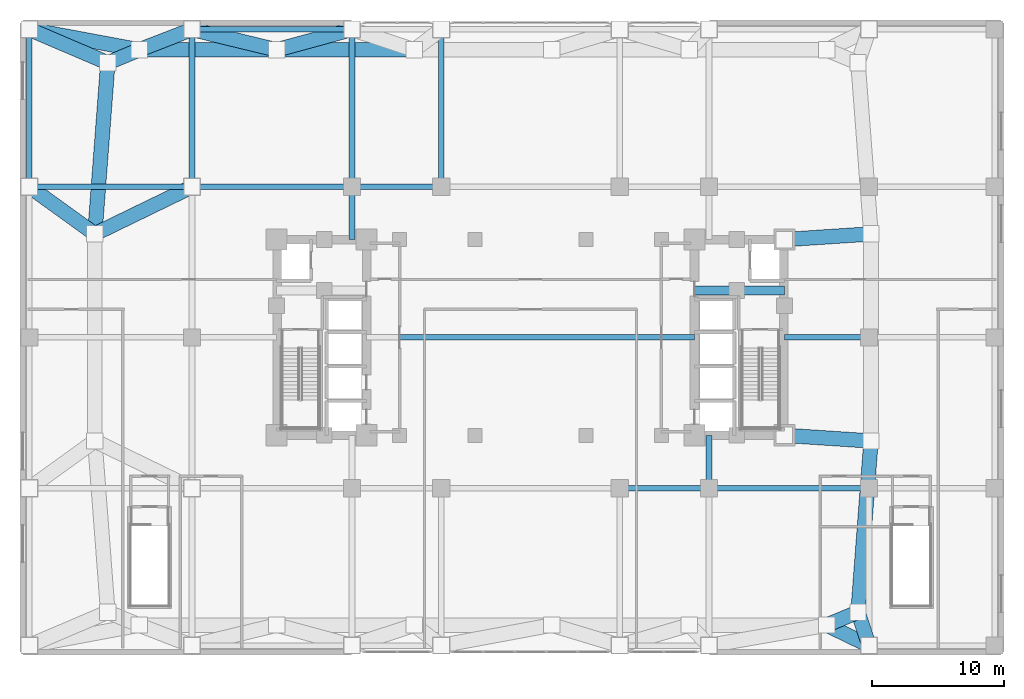
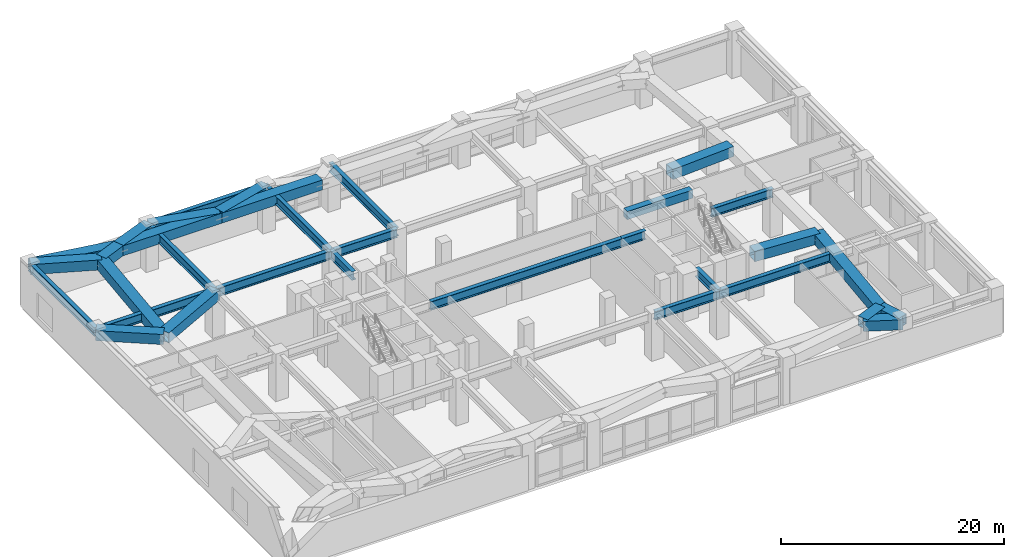
# One storey, part 7 of 20: 33 beams.
"""IFC4 building model written with IfcOpenShell, lengths in metres."""

from ifc_helpers import new_model, si_unit, direction, frame, origin, origin_2d, place, context, subcontext, project, spatial, rectangle, hollow_rectangle, i_section, extrude, material, material_profile, profile_set, type_object, element, save


model = new_model("IFC4")

# Units and contexts
model_context = context("Model", 3, precision=1e-05, world=origin(), true_north=direction((0.0, 1.0)))
body_context = subcontext(model_context, "Body", "Model", "MODEL_VIEW")
ifc_project = project(units=[si_unit("LENGTHUNIT", "METRE"), si_unit("AREAUNIT", "SQUARE_METRE"), si_unit("VOLUMEUNIT", "CUBIC_METRE"), si_unit("PLANEANGLEUNIT", "RADIAN"), si_unit("MASSUNIT", "GRAM", prefix="KILO")], contexts=[model_context])

# Site, building, storey
site_placement = place(None, origin())
site = spatial("IfcSite", under=ifc_project, at=site_placement, CompositionType="ELEMENT")
building_placement = place(site_placement, origin())
building = spatial("IfcBuilding", under=site, at=building_placement, Name="Voryun Gate Residences", CompositionType="ELEMENT")
storey_placement = place(building_placement, frame((0.0, 0.0, 20.800048828125)))
storey = spatial("IfcBuildingStorey", under=building, at=storey_placement, Name="L04", CompositionType="ELEMENT", Elevation=20.800048828125)

# Beams
ifc_material_1 = material(Name="Steel SM420", Category="steel")
ifc_material_profile_1 = material_profile(ifc_material_1, hollow_rectangle(XDim=1.10009765625, YDim=1.10009765625, WallThickness=0.035888671875, at=origin_2d()), Name="BOX-1100x1100x36")
ifc_profile_set_1 = profile_set([ifc_material_profile_1], Name="Steel SM420")
beam_type_1 = type_object("IfcBeamType", Name="BM_ARCH_RIB", PredefinedType="USERDEFINED", material=ifc_profile_set_1)
beam_1_placement = place(storey_placement, frame((22.39990234375, -21.75, 4.39990234375), z_axis=(0.923883376753, 0.382674151414, 0.0), x_axis=(-0.382674151414, 0.923883376753, 0.0)))
element("IfcBeam", 1, at=beam_1_placement, inside=storey, type_object=beam_type_1, Name="BM-L04-B1RING-06", ObjectType="GIRDER", PredefinedType="USERDEFINED", context=body_context, shape_type="SweptSolid", body=[
    extrude(hollow_rectangle(XDim=1.10009765625, YDim=1.10009765625, WallThickness=0.035888671875, at=origin_2d()), origin(), (0.0, 0.0, 1.0), 2.56396484375),
])
beam_2_placement = place(storey_placement, frame((24.768798828125, -20.768798828125, 4.39990234375), z_axis=(0.075617360159, 0.997136908776, 0.0), x_axis=(-0.997136908776, 0.075617360159, 0.0)))
element("IfcBeam", 2, at=beam_2_placement, inside=storey, type_object=beam_type_1, Name="BM-L04-B1RING-07", ObjectType="GIRDER", PredefinedType="USERDEFINED", context=body_context, shape_type="SweptSolid", body=[
    extrude(hollow_rectangle(XDim=1.10009765625, YDim=1.10009765625, WallThickness=0.035888671875, at=origin_2d()), origin(), (0.0, 0.0, 1.0), 12.975830078125),
])
beam_3_placement = place(storey_placement, frame((-8.800048828125, 21.75, 4.39990234375), z_axis=(-1.0, 0.0, 0.0), x_axis=(0.0, -1.0, 0.0)))
element("IfcBeam", 3, at=beam_3_placement, inside=storey, type_object=beam_type_1, Name="BM-L04-B1RING-14", ObjectType="GIRDER", PredefinedType="USERDEFINED", context=body_context, shape_type="SweptSolid", body=[
    extrude(hollow_rectangle(XDim=1.10009765625, YDim=1.10009765625, WallThickness=0.035888671875, at=origin_2d()), origin(), (0.0, 0.0, 1.0), 10.39990234375),
])
beam_4_placement = place(storey_placement, frame((-19.199951171875, 21.75, 4.39990234375), z_axis=(-1.0, 0.0, 0.0), x_axis=(0.0, -1.0, 0.0)))
element("IfcBeam", 4, at=beam_4_placement, inside=storey, type_object=beam_type_1, Name="BM-L04-B1RING-15", ObjectType="GIRDER", PredefinedType="USERDEFINED", context=body_context, shape_type="SweptSolid", body=[
    extrude(hollow_rectangle(XDim=1.10009765625, YDim=1.10009765625, WallThickness=0.035888671875, at=origin_2d()), origin(), (0.0, 0.0, 1.0), 10.400146484375),
])
beam_5_placement = place(storey_placement, frame((-29.60009765625, 21.75, 4.39990234375), z_axis=(-0.92386943149, -0.382707817477, 0.0), x_axis=(0.382707817477, -0.92386943149, 0.0)))
element("IfcBeam", 5, at=beam_5_placement, inside=storey, type_object=beam_type_1, Name="BM-L04-B1RING-16", ObjectType="GIRDER", PredefinedType="USERDEFINED", context=body_context, shape_type="SweptSolid", body=[
    extrude(hollow_rectangle(XDim=1.10009765625, YDim=1.10009765625, WallThickness=0.035888671875, at=origin_2d()), origin(), (0.0, 0.0, 1.0), 2.563720703125),
])
beam_6_placement = place(storey_placement, frame((-31.96875, 20.768798828125, 4.39990234375), z_axis=(-0.075617360159, -0.997136908776, 0.0), x_axis=(0.997136908776, -0.075617360159, 0.0)))
element("IfcBeam", 6, at=beam_6_placement, inside=storey, type_object=beam_type_1, Name="BM-L04-B1RING-17", ObjectType="GIRDER", PredefinedType="USERDEFINED", context=body_context, shape_type="SweptSolid", body=[
    extrude(hollow_rectangle(XDim=1.10009765625, YDim=1.10009765625, WallThickness=0.035888671875, at=origin_2d()), origin(), (0.0, 0.0, 1.0), 12.975830078125),
])
beam_7_placement = place(storey_placement, frame((25.60009765625, -23.300048828125, 4.39990234375), z_axis=(-0.899986374439, 0.435918026496, 0.0), x_axis=(-0.435918026496, -0.899986374439, 0.0)))
element("IfcBeam", 7, at=beam_7_placement, inside=storey, type_object=beam_type_1, Name="BM-L04-B1RAD1-S6", ObjectType="GIRDER", PredefinedType="USERDEFINED", context=body_context, shape_type="SweptSolid", body=[
    extrude(hollow_rectangle(XDim=1.10009765625, YDim=1.10009765625, WallThickness=0.035888671875, at=origin_2d()), origin(), (0.0, 0.0, 1.0), 3.555908203125),
])
beam_8_placement = place(storey_placement, frame((25.60009765625, -23.300048828125, 4.39990234375), z_axis=(-0.312018592405, 0.950075995904, 0.0), x_axis=(-0.950075995904, -0.312018592405, 0.0)))
element("IfcBeam", 8, at=beam_8_placement, inside=storey, type_object=beam_type_1, Name="BM-L04-B1RAD1-CSE", ObjectType="GIRDER", PredefinedType="USERDEFINED", context=body_context, shape_type="SweptSolid", body=[
    extrude(hollow_rectangle(XDim=1.10009765625, YDim=1.10009765625, WallThickness=0.035888671875, at=origin_2d()), origin(), (0.0, 0.0, 1.0), 2.664306640625),
])
for number, where, z_axis, x_axis, name in (
    (9, (19.199951171875, -7.39990234375, 4.39990234375), (0.997850335415, -0.06553402255, 0.0), (0.06553402255, 0.997850335415, 0.0), "BM-L04-B1RAD2-E1"),
    (10, (19.199951171875, 7.39990234375, 4.39990234375), (0.997850335415, 0.06553402255, 0.0), (-0.06553402255, 0.997850335415, 0.0), "BM-L04-B1RAD2-E2"),
):
    element("IfcBeam", number, at=place(storey_placement, frame(where, z_axis=z_axis, x_axis=x_axis)), inside=storey, type_object=beam_type_1, Name=name, ObjectType="GIRDER", PredefinedType="USERDEFINED", context=body_context, shape_type="SweptSolid", body=[
        extrude(hollow_rectangle(XDim=1.10009765625, YDim=1.10009765625, WallThickness=0.035888671875, at=origin_2d()), origin(), (0.0, 0.0, 1.0), 6.564208984375),
    ])
beam_9_placement = place(storey_placement, frame((-13.5, 23.300048828125, 4.39990234375), z_axis=(-0.964956228913, -0.262410892079, 0.0), x_axis=(0.262410892079, -0.964956228913, 0.0)))
element("IfcBeam", 11, at=beam_9_placement, inside=storey, type_object=beam_type_1, Name="BM-L04-B1RAD1-N5", ObjectType="GIRDER", PredefinedType="USERDEFINED", context=body_context, shape_type="SweptSolid", body=[
    extrude(hollow_rectangle(XDim=1.10009765625, YDim=1.10009765625, WallThickness=0.035888671875, at=origin_2d()), origin(), (0.0, 0.0, 1.0), 5.906982421875),
])
beam_10_placement = place(storey_placement, frame((-25.60009765625, 23.300048828125, 4.39990234375), z_axis=(0.971902300927, -0.235384616006, 0.0), x_axis=(0.235384616006, 0.971902300927, 0.0)))
element("IfcBeam", 12, at=beam_10_placement, inside=storey, type_object=beam_type_1, Name="BM-L04-B1RAD2-N5", ObjectType="GIRDER", PredefinedType="USERDEFINED", context=body_context, shape_type="SweptSolid", body=[
    extrude(hollow_rectangle(XDim=1.10009765625, YDim=1.10009765625, WallThickness=0.035888671875, at=origin_2d()), origin(), (0.0, 0.0, 1.0), 6.585205078125),
])
beam_11_placement = place(storey_placement, frame((-25.60009765625, 23.300048828125, 4.39990234375), z_axis=(-0.932437630313, -0.361330964042, 0.0), x_axis=(0.361330964042, -0.932437630313, 0.0)))
element("IfcBeam", 13, at=beam_11_placement, inside=storey, type_object=beam_type_1, Name="BM-L04-B1RAD1-N6", ObjectType="GIRDER", PredefinedType="USERDEFINED", context=body_context, shape_type="SweptSolid", body=[
    extrude(hollow_rectangle(XDim=1.10009765625, YDim=1.10009765625, WallThickness=0.035888671875, at=origin_2d()), origin(), (0.0, 0.0, 1.0), 4.289794921875),
])
beam_12_placement = place(storey_placement, frame((-37.89990234375, 23.300048828125, 4.39990234375), z_axis=(0.983004180397, -0.183583172766, 0.0), x_axis=(0.183583172766, 0.983004180397, 0.0)))
element("IfcBeam", 14, at=beam_12_placement, inside=storey, type_object=beam_type_1, Name="BM-L04-B1RAD2-N6", ObjectType="GIRDER", PredefinedType="USERDEFINED", context=body_context, shape_type="SweptSolid", body=[
    extrude(hollow_rectangle(XDim=1.10009765625, YDim=1.10009765625, WallThickness=0.035888671875, at=origin_2d()), origin(), (0.0, 0.0, 1.0), 8.443359375),
])
beam_13_placement = place(storey_placement, frame((-37.89990234375, 23.300048828125, 4.39990234375), z_axis=(0.919743180993, -0.392520675909, 0.0), x_axis=(0.392520675909, 0.919743180993, 0.0)))
element("IfcBeam", 15, at=beam_13_placement, inside=storey, type_object=beam_type_1, Name="BM-L04-B1RAD1-CNW", ObjectType="GIRDER", PredefinedType="USERDEFINED", context=body_context, shape_type="SweptSolid", body=[
    extrude(hollow_rectangle(XDim=1.10009765625, YDim=1.10009765625, WallThickness=0.035888671875, at=origin_2d()), origin(), (0.0, 0.0, 1.0), 6.44873046875),
])
beam_14_placement = place(storey_placement, frame((-37.89990234375, 11.39990234375, 4.39990234375), z_axis=(0.811078834854, -0.584936854414, 0.0), x_axis=(0.584936854414, 0.811078834854, 0.0)))
element("IfcBeam", 16, at=beam_14_placement, inside=storey, type_object=beam_type_1, Name="BM-L04-B1RAD1-W1", ObjectType="GIRDER", PredefinedType="USERDEFINED", context=body_context, shape_type="SweptSolid", body=[
    extrude(hollow_rectangle(XDim=1.10009765625, YDim=1.10009765625, WallThickness=0.035888671875, at=origin_2d()), origin(), (0.0, 0.0, 1.0), 6.10302734375),
])
beam_15_placement = place(storey_placement, frame((-25.60009765625, 11.39990234375, 4.39990234375), z_axis=(-0.89951319101, -0.436893601692, 0.0), x_axis=(0.436893601692, -0.89951319101, 0.0)))
element("IfcBeam", 17, at=beam_15_placement, inside=storey, type_object=beam_type_1, Name="BM-L04-B1RAD2-W1", ObjectType="GIRDER", PredefinedType="USERDEFINED", context=body_context, shape_type="SweptSolid", body=[
    extrude(hollow_rectangle(XDim=1.10009765625, YDim=1.10009765625, WallThickness=0.035888671875, at=origin_2d()), origin(), (0.0, 0.0, 1.0), 8.1708984375),
])
ifc_material_2 = material(Name="Concrete C60/75", Category="concrete")
ifc_material_profile_2 = material_profile(ifc_material_2, rectangle(XDim=0.64990234375, YDim=0.89990234375, at=origin_2d()), Name="RC-650x900")
ifc_profile_set_2 = profile_set([ifc_material_profile_2], Name="Concrete C60/75")
beam_type_2 = type_object("IfcBeamType", Name="BM_COUP_RC900", PredefinedType="LINTEL", material=ifc_profile_set_2)
beam_16_placement = place(storey_placement, frame((12.39990234375, 3.550048828125, 4.5), z_axis=(1.0, 0.0, 0.0), x_axis=(0.0, 1.0, 0.0)))
element("IfcBeam", 18, at=beam_16_placement, inside=storey, type_object=beam_type_2, Name="BM-L04-EC1", PredefinedType="LINTEL", context=body_context, shape_type="SweptSolid", body=[
    extrude(rectangle(XDim=0.64990234375, YDim=0.89990234375, at=origin_2d()), origin(), (0.0, 0.0, 1.0), 6.800048828125),
])
ifc_material_3 = material(Name="Steel SM420", Category="steel")
ifc_material_profile_3 = material_profile(ifc_material_3, i_section(OverallWidth=0.419921875, OverallDepth=0.949951171875, WebThickness=0.02001953125, FlangeThickness=0.035888671875, FilletRadius=0.01806640625, at=origin_2d()), Name="H-950x420x20x36")
ifc_profile_set_3 = profile_set([ifc_material_profile_3], Name="Steel SM420")
beam_type_3 = type_object("IfcBeamType", Name="BM_XFER_950", PredefinedType="USERDEFINED", material=ifc_profile_set_3)
beam_17_placement = place(storey_placement, frame((6.75, -11.39990234375, 4.474853515625), z_axis=(1.0, 0.0, 0.0), x_axis=(0.0, 1.0, 0.0)))
element("IfcBeam", 19, at=beam_17_placement, inside=storey, type_object=beam_type_3, Name="BM-L04-GX--11.4-4", ObjectType="GIRDER", PredefinedType="USERDEFINED", context=body_context, shape_type="SweptSolid", body=[
    extrude(i_section(OverallWidth=0.419921875, OverallDepth=0.949951171875, WebThickness=0.02001953125, FlangeThickness=0.035888671875, FilletRadius=0.01806640625, at=origin_2d()), origin(), (0.0, 0.0, 1.0), 6.75),
])
beam_18_placement = place(storey_placement, frame((13.5, -11.39990234375, 4.474853515625), z_axis=(1.0, 0.0, 0.0), x_axis=(0.0, 1.0, 0.0)))
element("IfcBeam", 20, at=beam_18_placement, inside=storey, type_object=beam_type_3, Name="BM-L04-GX--11.4-5", ObjectType="GIRDER", PredefinedType="USERDEFINED", context=body_context, shape_type="SweptSolid", body=[
    extrude(i_section(OverallWidth=0.419921875, OverallDepth=0.949951171875, WebThickness=0.02001953125, FlangeThickness=0.035888671875, FilletRadius=0.01806640625, at=origin_2d()), origin(), (0.0, 0.0, 1.0), 12.10009765625),
])
beam_19_placement = place(storey_placement, frame((-9.89990234375, 0.0, 4.474853515625), z_axis=(1.0, 0.0, 0.0), x_axis=(0.0, 1.0, 0.0)))
element("IfcBeam", 21, at=beam_19_placement, inside=storey, type_object=beam_type_3, Name="BM-L04-GX-+0.0-4", ObjectType="GIRDER", PredefinedType="USERDEFINED", context=body_context, shape_type="SweptSolid", body=[
    extrude(i_section(OverallWidth=0.419921875, OverallDepth=0.949951171875, WebThickness=0.02001953125, FlangeThickness=0.035888671875, FilletRadius=0.01806640625, at=origin_2d()), origin(), (0.0, 0.0, 1.0), 19.7998046875),
])
beam_20_placement = place(storey_placement, frame((9.89990234375, 0.0, 4.474853515625), z_axis=(1.0, 0.0, 0.0), x_axis=(0.0, 1.0, 0.0)))
element("IfcBeam", 22, at=beam_20_placement, inside=storey, type_object=beam_type_3, Name="BM-L04-GX-+0.0-5", ObjectType="GIRDER", PredefinedType="USERDEFINED", context=body_context, shape_type="SweptSolid", body=[
    extrude(i_section(OverallWidth=0.419921875, OverallDepth=0.949951171875, WebThickness=0.02001953125, FlangeThickness=0.035888671875, FilletRadius=0.01806640625, at=origin_2d()), origin(), (0.0, 0.0, 1.0), 2.5),
])
beam_21_placement = place(storey_placement, frame((19.199951171875, 0.0, 4.474853515625), z_axis=(1.0, 0.0, 0.0), x_axis=(0.0, 1.0, 0.0)))
element("IfcBeam", 23, at=beam_21_placement, inside=storey, type_object=beam_type_3, Name="BM-L04-GX-+0.0-7", ObjectType="GIRDER", PredefinedType="USERDEFINED", context=body_context, shape_type="SweptSolid", body=[
    extrude(i_section(OverallWidth=0.419921875, OverallDepth=0.949951171875, WebThickness=0.02001953125, FlangeThickness=0.035888671875, FilletRadius=0.01806640625, at=origin_2d()), origin(), (0.0, 0.0, 1.0), 6.400146484375),
])
beam_22_placement = place(storey_placement, frame((-37.89990234375, 11.39990234375, 4.474853515625), z_axis=(1.0, 0.0, 0.0), x_axis=(0.0, 1.0, 0.0)))
element("IfcBeam", 24, at=beam_22_placement, inside=storey, type_object=beam_type_3, Name="BM-L04-GX-+11.4-0", ObjectType="GIRDER", PredefinedType="USERDEFINED", context=body_context, shape_type="SweptSolid", body=[
    extrude(i_section(OverallWidth=0.419921875, OverallDepth=0.949951171875, WebThickness=0.02001953125, FlangeThickness=0.035888671875, FilletRadius=0.01806640625, at=origin_2d()), origin(), (0.0, 0.0, 1.0), 12.2998046875),
])
beam_23_placement = place(storey_placement, frame((-25.60009765625, 11.39990234375, 4.474853515625), z_axis=(1.0, 0.0, 0.0), x_axis=(0.0, 1.0, 0.0)))
element("IfcBeam", 25, at=beam_23_placement, inside=storey, type_object=beam_type_3, Name="BM-L04-GX-+11.4-1", ObjectType="GIRDER", PredefinedType="USERDEFINED", context=body_context, shape_type="SweptSolid", body=[
    extrude(i_section(OverallWidth=0.419921875, OverallDepth=0.949951171875, WebThickness=0.02001953125, FlangeThickness=0.035888671875, FilletRadius=0.01806640625, at=origin_2d()), origin(), (0.0, 0.0, 1.0), 12.10009765625),
])
beam_24_placement = place(storey_placement, frame((-13.5, 11.39990234375, 4.474853515625), z_axis=(1.0, 0.0, 0.0), x_axis=(0.0, 1.0, 0.0)))
element("IfcBeam", 26, at=beam_24_placement, inside=storey, type_object=beam_type_3, Name="BM-L04-GX-+11.4-2", ObjectType="GIRDER", PredefinedType="USERDEFINED", context=body_context, shape_type="SweptSolid", body=[
    extrude(i_section(OverallWidth=0.419921875, OverallDepth=0.949951171875, WebThickness=0.02001953125, FlangeThickness=0.035888671875, FilletRadius=0.01806640625, at=origin_2d()), origin(), (0.0, 0.0, 1.0), 6.75),
])
beam_25_placement = place(storey_placement, frame((-25.60009765625, 23.300048828125, 4.474853515625), z_axis=(1.0, 0.0, 0.0), x_axis=(0.0, 1.0, 0.0)))
element("IfcBeam", 27, at=beam_25_placement, inside=storey, type_object=beam_type_3, Name="BM-L04-GX-+23.3-1", ObjectType="GIRDER", PredefinedType="USERDEFINED", context=body_context, shape_type="SweptSolid", body=[
    extrude(i_section(OverallWidth=0.419921875, OverallDepth=0.949951171875, WebThickness=0.02001953125, FlangeThickness=0.035888671875, FilletRadius=0.01806640625, at=origin_2d()), origin(), (0.0, 0.0, 1.0), 12.10009765625),
])
for number, where, z_axis, x_axis, name in (
    (28, (-37.89990234375, 11.39990234375, 4.474853515625), (0.0, 1.0, 0.0), (-1.0, 0.0, 0.0), "BM-L04-GY--37.9-3"),
    (29, (-25.60009765625, 11.39990234375, 4.474853515625), (0.0, 1.0, 0.0), (-1.0, 0.0, 0.0), "BM-L04-GY--25.6-3"),
):
    element("IfcBeam", number, at=place(storey_placement, frame(where, z_axis=z_axis, x_axis=x_axis)), inside=storey, type_object=beam_type_3, Name=name, ObjectType="GIRDER", PredefinedType="USERDEFINED", context=body_context, shape_type="SweptSolid", body=[
        extrude(i_section(OverallWidth=0.419921875, OverallDepth=0.949951171875, WebThickness=0.02001953125, FlangeThickness=0.035888671875, FilletRadius=0.01806640625, at=origin_2d()), origin(), (0.0, 0.0, 1.0), 11.900146484375),
    ])
beam_26_placement = place(storey_placement, frame((-13.5, 7.39990234375, 4.474853515625), z_axis=(0.0, 1.0, 0.0), x_axis=(-1.0, 0.0, 0.0)))
element("IfcBeam", 30, at=beam_26_placement, inside=storey, type_object=beam_type_3, Name="BM-L04-GYA--13.5-+7.4", ObjectType="GIRDER", PredefinedType="USERDEFINED", context=body_context, shape_type="SweptSolid", body=[
    extrude(i_section(OverallWidth=0.419921875, OverallDepth=0.949951171875, WebThickness=0.02001953125, FlangeThickness=0.035888671875, FilletRadius=0.01806640625, at=origin_2d()), origin(), (0.0, 0.0, 1.0), 4.0),
])
for number, where, z_axis, x_axis, name in (
    (31, (-13.5, 11.39990234375, 4.474853515625), (0.0, 1.0, 0.0), (-1.0, 0.0, 0.0), "BM-L04-GYA--13.5-+11.4"),
    (32, (-6.75, 11.39990234375, 4.474853515625), (0.0, 1.0, 0.0), (-1.0, 0.0, 0.0), "BM-L04-GYM--6.75-+11.4"),
):
    element("IfcBeam", number, at=place(storey_placement, frame(where, z_axis=z_axis, x_axis=x_axis)), inside=storey, type_object=beam_type_3, Name=name, ObjectType="GIRDER", PredefinedType="USERDEFINED", context=body_context, shape_type="SweptSolid", body=[
        extrude(i_section(OverallWidth=0.419921875, OverallDepth=0.949951171875, WebThickness=0.02001953125, FlangeThickness=0.035888671875, FilletRadius=0.01806640625, at=origin_2d()), origin(), (0.0, 0.0, 1.0), 11.900146484375),
    ])
beam_27_placement = place(storey_placement, frame((13.5, -11.39990234375, 4.474853515625), z_axis=(0.0, 1.0, 0.0), x_axis=(-1.0, 0.0, 0.0)))
element("IfcBeam", 33, at=beam_27_placement, inside=storey, type_object=beam_type_3, Name="BM-L04-GYA-+13.5--11.4", ObjectType="GIRDER", PredefinedType="USERDEFINED", context=body_context, shape_type="SweptSolid", body=[
    extrude(i_section(OverallWidth=0.419921875, OverallDepth=0.949951171875, WebThickness=0.02001953125, FlangeThickness=0.035888671875, FilletRadius=0.01806640625, at=origin_2d()), origin(), (0.0, 0.0, 1.0), 4.0),
])

save(model, "model.ifc")
